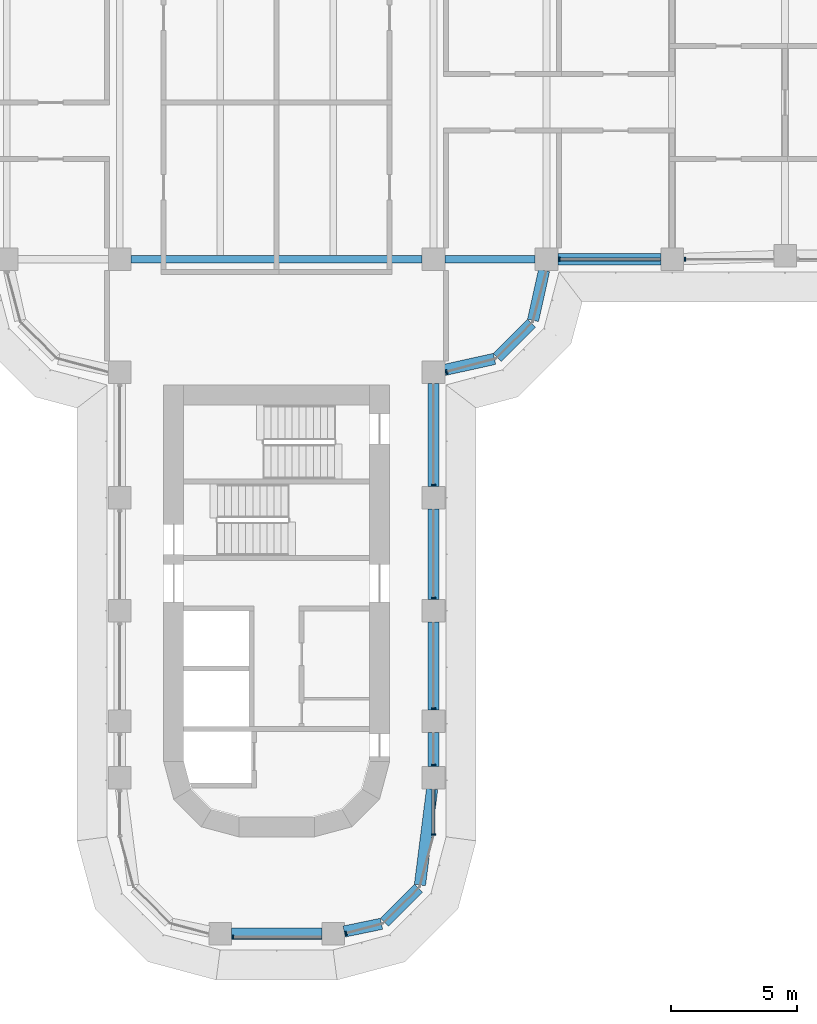
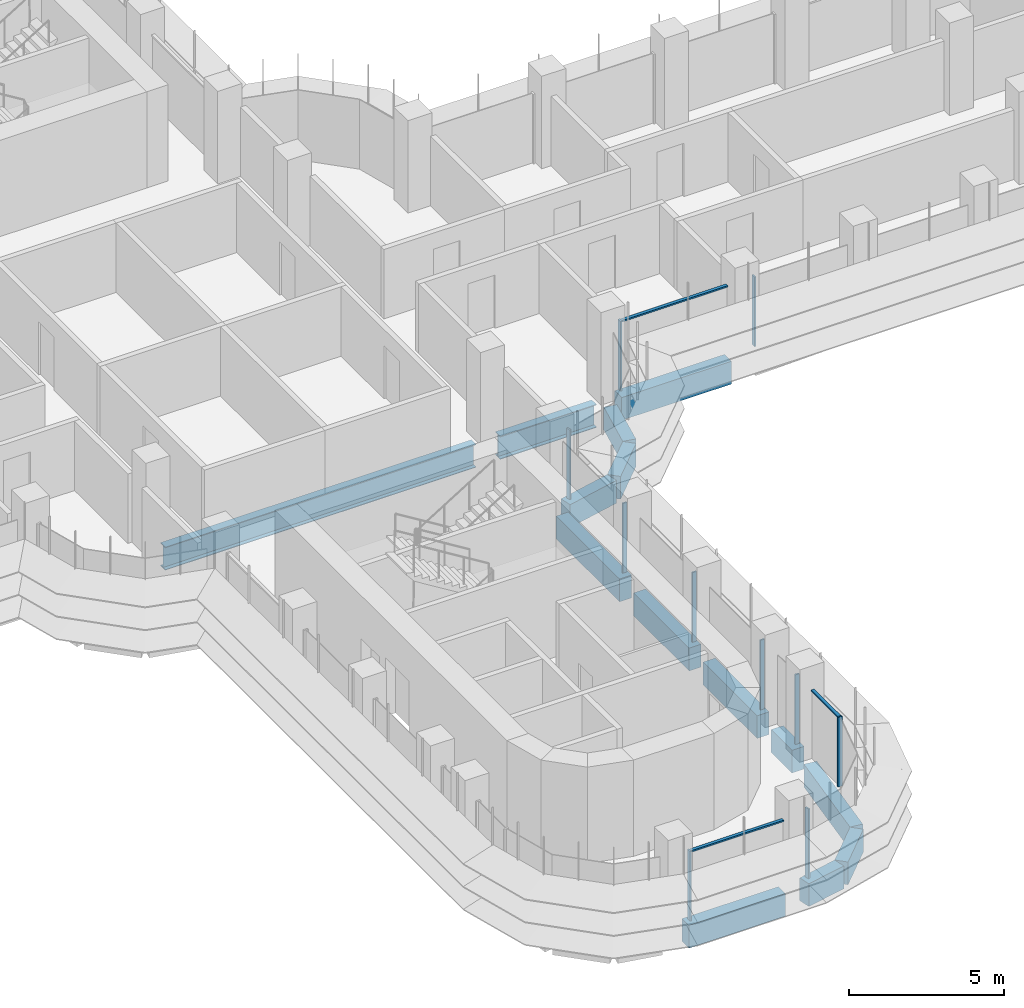
# One storey, part 4 of 22: 14 beams, 13 members, 5 elements without a shape of their own.
"""IFC4 building model written with IfcOpenShell, lengths in metres."""

from ifc_helpers import new_model, si_unit, direction, frame, origin, origin_2d, place, context, subcontext, project, spatial, polyline, rectangle, i_section, outline, extrude, source, transform, mapped, material, material_profile, profile_set, type_object, element, aggregate, save


model = new_model("IFC4")

# Units and contexts
model_context = context("Model", 3, precision=1e-05, world=origin(), true_north=direction((0.0, 1.0)))
body_context = subcontext(model_context, "Body", "Model", "MODEL_VIEW")
ifc_project = project(units=[si_unit("LENGTHUNIT", "METRE"), si_unit("AREAUNIT", "SQUARE_METRE"), si_unit("VOLUMEUNIT", "CUBIC_METRE"), si_unit("PLANEANGLEUNIT", "RADIAN"), si_unit("MASSUNIT", "GRAM", prefix="KILO")], contexts=[model_context])

# Site, building, storey
site_placement = place(None, origin())
site = spatial("IfcSite", under=ifc_project, at=site_placement, CompositionType="ELEMENT")
building_placement = place(site_placement, origin())
building = spatial("IfcBuilding", under=site, at=building_placement, Name="Zarbagh Exchange Tower", CompositionType="ELEMENT")
storey_placement = place(building_placement, frame((0.0, 0.0, 109.39990234375)))
storey = spatial("IfcBuildingStorey", under=building, at=storey_placement, Name="L25", CompositionType="ELEMENT", Elevation=109.39990234375)

# Beams
ifc_material_1 = material(Name="Steel ASTM A992 Gr 50", Category="steel")
ifc_material_profile_1 = material_profile(ifc_material_1, i_section(OverallWidth=0.3046875, OverallDepth=0.911865234375, WebThickness=0.015869140625, FlangeThickness=0.02392578125, at=origin_2d()), Name="W36X150")
ifc_profile_set_1 = profile_set([ifc_material_profile_1], Name="Steel ASTM A992 Gr 50")
beam_type_1 = type_object("IfcBeamType", Name="Floor girder W36X150", PredefinedType="BEAM", material=ifc_profile_set_1)
beam_1_placement = place(storey_placement, frame((-5.800048828125, -6.25, -0.605712890625), z_axis=(1.0, 0.0, 0.0), x_axis=(0.0, 1.0, 0.0)))
element("IfcBeam", 1, at=beam_1_placement, inside=storey, type_object=beam_type_1, Name="Steel girder", PredefinedType="BEAM", context=body_context, shape_type="SweptSolid", body=[
    extrude(i_section(OverallWidth=0.3046875, OverallDepth=0.911865234375, WebThickness=0.015869140625, FlangeThickness=0.02392578125, at=origin_2d()), origin(), (0.0, 0.0, 1.0), 11.60009765625),
])
beam_2_placement = place(storey_placement, frame((6.699951171875, -6.25, -0.605712890625), z_axis=(1.0, 0.0, 0.0), x_axis=(0.0, 1.0, 0.0)))
element("IfcBeam", 2, at=beam_2_placement, inside=storey, type_object=beam_type_1, Name="Steel girder", PredefinedType="BEAM", context=body_context, shape_type="SweptSolid", body=[
    extrude(i_section(OverallWidth=0.3046875, OverallDepth=0.911865234375, WebThickness=0.015869140625, FlangeThickness=0.02392578125, at=origin_2d()), origin(), (0.0, 0.0, 1.0), 3.60009765625),
])
ifc_material_2 = material(Name="Concrete C60/75", Category="concrete")
ifc_material_profile_2 = material_profile(ifc_material_2, rectangle(XDim=0.449951171875, YDim=0.89990234375, at=origin_2d()), Name="RC spandrel beam 450 x 900 C60/75")
ifc_profile_set_2 = profile_set([ifc_material_profile_2], Name="Concrete C60/75")
beam_type_2 = type_object("IfcBeamType", Name="RC spandrel beam 450 x 900 C60/75", PredefinedType="SPANDREL", material=ifc_profile_set_2)
beam_3_placement = place(storey_placement, frame((15.300048828125, -6.25, -0.599853515625), z_axis=(-1.0, 0.0, 0.0), x_axis=(0.0, -1.0, 0.0)))
element("IfcBeam", 3, at=beam_3_placement, inside=storey, type_object=beam_type_2, Name="RC spandrel beam", PredefinedType="SPANDREL", context=body_context, shape_type="SweptSolid", body=[
    extrude(rectangle(XDim=0.449951171875, YDim=0.89990234375, at=origin_2d()), origin(), (0.0, 0.0, 1.0), 4.10009765625),
])
beam_4_placement = place(storey_placement, frame((10.65283203125, -6.689453125, -0.599853515625), z_axis=(-0.216117666208, -0.976367325525, 0.0), x_axis=(0.976367325525, -0.216117666208, 0.0)))
element("IfcBeam", 4, at=beam_4_placement, inside=storey, type_object=beam_type_2, Name="RC spandrel beam", PredefinedType="SPANDREL", context=body_context, shape_type="SweptSolid", body=[
    extrude(rectangle(XDim=0.449951171875, YDim=0.89990234375, at=origin_2d()), origin(), (0.0, 0.0, 1.0), 2.03564453125),
])
beam_5_placement = place(storey_placement, frame((10.15234375, -8.78759765625, -0.599853515625), z_axis=(-0.707106781187, -0.707106781187, 0.0), x_axis=(0.707106781187, -0.707106781187, 0.0)))
element("IfcBeam", 5, at=beam_5_placement, inside=storey, type_object=beam_type_2, Name="RC spandrel beam", PredefinedType="SPANDREL", context=body_context, shape_type="SweptSolid", body=[
    extrude(rectangle(XDim=0.449951171875, YDim=0.89990234375, at=origin_2d()), origin(), (0.0, 0.0, 1.0), 1.929931640625),
])
beam_6_placement = place(storey_placement, frame((8.677001953125, -10.212890625, -0.599853515625), z_axis=(-0.976367325525, -0.216117666208, 0.0), x_axis=(0.216117666208, -0.976367325525, 0.0)))
element("IfcBeam", 6, at=beam_6_placement, inside=storey, type_object=beam_type_2, Name="RC spandrel beam", PredefinedType="SPANDREL", context=body_context, shape_type="SweptSolid", body=[
    extrude(rectangle(XDim=0.449951171875, YDim=0.89990234375, at=origin_2d()), origin(), (0.0, 0.0, 1.0), 2.03564453125),
])
beam_7_placement = place(storey_placement, frame((6.25, -11.199951171875, -0.599853515625), z_axis=(0.0, -1.0, 0.0), x_axis=(1.0, 0.0, 0.0)))
element("IfcBeam", 7, at=beam_7_placement, inside=storey, type_object=beam_type_2, Name="RC spandrel beam", PredefinedType="SPANDREL", context=body_context, shape_type="SweptSolid", body=[
    extrude(rectangle(XDim=0.449951171875, YDim=0.89990234375, at=origin_2d()), origin(), (0.0, 0.0, 1.0), 4.10009765625),
])
beam_8_placement = place(storey_placement, frame((6.25, -16.199951171875, -0.599853515625), z_axis=(0.0, -1.0, 0.0), x_axis=(1.0, 0.0, 0.0)))
element("IfcBeam", 8, at=beam_8_placement, inside=storey, type_object=beam_type_2, Name="RC spandrel beam", PredefinedType="SPANDREL", context=body_context, shape_type="SweptSolid", body=[
    extrude(rectangle(XDim=0.449951171875, YDim=0.89990234375, at=origin_2d()), origin(), (0.0, 0.0, 1.0), 3.60009765625),
])
beam_9_placement = place(storey_placement, frame((6.25, -20.699951171875, -0.599853515625), z_axis=(0.0, -1.0, 0.0), x_axis=(1.0, 0.0, 0.0)))
element("IfcBeam", 9, at=beam_9_placement, inside=storey, type_object=beam_type_2, Name="RC spandrel beam", PredefinedType="SPANDREL", context=body_context, shape_type="SweptSolid", body=[
    extrude(rectangle(XDim=0.449951171875, YDim=0.89990234375, at=origin_2d()), origin(), (0.0, 0.0, 1.0), 3.5),
])
beam_10_placement = place(storey_placement, frame((6.25, -25.10009765625, -0.599853515625), z_axis=(0.0, -1.0, 0.0), x_axis=(1.0, 0.0, 0.0)))
element("IfcBeam", 10, at=beam_10_placement, inside=storey, type_object=beam_type_2, Name="RC spandrel beam", PredefinedType="SPANDREL", context=body_context, shape_type="SweptSolid", body=[
    extrude(rectangle(XDim=0.449951171875, YDim=0.89990234375, at=origin_2d()), origin(), (0.0, 0.0, 1.0), 1.349853515625),
])
beam_11_placement = place(storey_placement, frame((6.193359375, -27.346435546875, -0.599853515625), z_axis=(-0.12597055537, -0.992033980859, 0.0), x_axis=(0.992033980859, -0.12597055537, 0.0)))
element("IfcBeam", 11, at=beam_11_placement, inside=storey, type_object=beam_type_2, Name="RC spandrel beam", PredefinedType="SPANDREL", context=body_context, shape_type="SweptSolid", body=[
    extrude(rectangle(XDim=0.449951171875, YDim=0.89990234375, at=origin_2d()), origin(), (0.0, 0.0, 1.0), 3.84912109375),
])
beam_12_placement = place(storey_placement, frame((5.644287109375, -31.295654296875, -0.599853515625), z_axis=(-0.707106781187, -0.707106781187, 0.0), x_axis=(0.707106781187, -0.707106781187, 0.0)))
element("IfcBeam", 12, at=beam_12_placement, inside=storey, type_object=beam_type_2, Name="RC spandrel beam", PredefinedType="SPANDREL", context=body_context, shape_type="SweptSolid", body=[
    extrude(rectangle(XDim=0.449951171875, YDim=0.89990234375, at=origin_2d()), origin(), (0.0, 0.0, 1.0), 1.9169921875),
])
beam_13_placement = place(storey_placement, frame((4.17529296875, -32.71240234375, -0.599853515625), z_axis=(-0.979328675816, -0.202275417995, 0.0), x_axis=(0.202275417995, -0.979328675816, 0.0)))
element("IfcBeam", 13, at=beam_13_placement, inside=storey, type_object=beam_type_2, Name="RC spandrel beam", PredefinedType="SPANDREL", context=body_context, shape_type="SweptSolid", body=[
    extrude(rectangle(XDim=0.449951171875, YDim=0.89990234375, at=origin_2d()), origin(), (0.0, 0.0, 1.0), 1.515869140625),
])
beam_14_placement = place(storey_placement, frame((1.800048828125, -33.110107421875, -0.599853515625), z_axis=(-1.0, 0.0, 0.0), x_axis=(0.0, -1.0, 0.0)))
element("IfcBeam", 14, at=beam_14_placement, inside=storey, type_object=beam_type_2, Name="RC spandrel beam", PredefinedType="SPANDREL", context=body_context, shape_type="SweptSolid", body=[
    extrude(rectangle(XDim=0.449951171875, YDim=0.89990234375, at=origin_2d()), origin(), (0.0, 0.0, 1.0), 3.60009765625),
])

# Curtain wall, member
ifc_material_3 = material(Name="Anodised aluminium frame and glazing", Category="aluminium")
curtain_wall_type = type_object("IfcCurtainWallType", Name="CWA Ribbon glazing, lower zones", PredefinedType="NOTDEFINED", material=ifc_material_3)
curtain_wall_1_placement = place(storey_placement, origin())
curtain_wall_1 = element("IfcCurtainWall", 15, at=curtain_wall_1_placement, inside=storey, type_object=curtain_wall_type, Name="CWA01 curtain wall", PredefinedType="NOTDEFINED")
ifc_material_4 = material(Name="Anodised aluminium frame", Category="aluminium")
member_type_1 = type_object("IfcMemberType", Name="MUA Mullion, anodised aluminium frame", PredefinedType="MULLION", material=ifc_material_4)
shared_shape_1 = source(origin(), body_context, "Body", "SweptSolid", [
    extrude(outline(polyline([(0.0, -0.080078125), (0.06005859375, -0.080078125), (0.06005859375, 0.080078125), (0.0, 0.080078125), (0.0, -0.080078125)])), origin(), (0.0, 0.0, 1.0), 2.75),
])
placement = place(storey_placement, origin())
member_1 = element("IfcMember", 16, at=placement, type_object=member_type_1, Name="CWA01 mullion 1.1", PredefinedType="MULLION", context=body_context, shape_type="MappedRepresentation", body=[
    mapped(shared_shape_1, transform((2.739990234375, -33.10107421875, 0.0), x_axis=(0.965924289636, 0.258824779902, 0.0), y_axis=(-0.258824779902, 0.965924289636, 0.0), z_axis=(0.0, 0.0, 1.0))),
])
aggregate(curtain_wall_1, [member_1])

# Curtain wall, members
curtain_wall_2_placement = place(storey_placement, origin())
curtain_wall_2 = element("IfcCurtainWall", 17, at=curtain_wall_2_placement, inside=storey, type_object=curtain_wall_type, Name="CWA04 curtain wall", PredefinedType="NOTDEFINED")
member_2 = element("IfcMember", 18, at=placement, type_object=member_type_1, Name="CWA04 mullion 1.1", PredefinedType="MULLION", context=body_context, shape_type="MappedRepresentation", body=[
    mapped(shared_shape_1, transform((6.25, -29.18408203125, 0.0), x_axis=(0.0, 1.0, 0.0), y_axis=(-1.0, 0.0, 0.0), z_axis=(0.0, 0.0, 1.0))),
])
member_3 = element("IfcMember", 19, at=placement, type_object=member_type_1, Name="CWA04 mullion 2.1", PredefinedType="MULLION", context=body_context, shape_type="MappedRepresentation", body=[
    mapped(shared_shape_1, transform((6.25, -26.409912109375, 0.0), x_axis=(0.0, 1.0, 0.0), y_axis=(-1.0, 0.0, 0.0), z_axis=(0.0, 0.0, 1.0))),
])
member_4 = element("IfcMember", 20, at=placement, type_object=member_type_1, Name="CWA04 mullion 3.1", PredefinedType="MULLION", context=body_context, shape_type="MappedRepresentation", body=[
    mapped(shared_shape_1, transform((6.25, -24.159912109375, 0.0), x_axis=(0.0, 1.0, 0.0), y_axis=(-1.0, 0.0, 0.0), z_axis=(0.0, 0.0, 1.0))),
])
member_5 = element("IfcMember", 21, at=placement, type_object=member_type_1, Name="CWA04 mullion 4.1", PredefinedType="MULLION", context=body_context, shape_type="MappedRepresentation", body=[
    mapped(shared_shape_1, transform((6.25, -19.760009765625, 0.0), x_axis=(0.0, 1.0, 0.0), y_axis=(-1.0, 0.0, 0.0), z_axis=(0.0, 0.0, 1.0))),
])
member_6 = element("IfcMember", 22, at=placement, type_object=member_type_1, Name="CWA04 mullion 5.1", PredefinedType="MULLION", context=body_context, shape_type="MappedRepresentation", body=[
    mapped(shared_shape_1, transform((6.25, -15.260009765625, 0.0), x_axis=(0.0, 1.0, 0.0), y_axis=(-1.0, 0.0, 0.0), z_axis=(0.0, 0.0, 1.0))),
])

# Curtain wall, member
curtain_wall_3_placement = place(storey_placement, origin())
curtain_wall_3 = element("IfcCurtainWall", 23, at=curtain_wall_3_placement, inside=storey, type_object=curtain_wall_type, Name="CWA05 curtain wall", PredefinedType="NOTDEFINED")
member_7 = element("IfcMember", 24, at=placement, type_object=member_type_1, Name="CWA05 mullion 1.1", PredefinedType="MULLION", context=body_context, shape_type="MappedRepresentation", body=[
    mapped(shared_shape_1, transform((6.739990234375, -10.735107421875, 0.0), x_axis=(0.965924289636, 0.258824779902, 0.0), y_axis=(-0.258824779902, 0.965924289636, 0.0), z_axis=(0.0, 0.0, 1.0))),
])
aggregate(curtain_wall_3, [member_7])

# Curtain wall, members
curtain_wall_4_placement = place(storey_placement, origin())
curtain_wall_4 = element("IfcCurtainWall", 25, at=curtain_wall_4_placement, inside=storey, type_object=curtain_wall_type, Name="CWA08 curtain wall", PredefinedType="NOTDEFINED")
member_8 = element("IfcMember", 26, at=placement, type_object=member_type_1, Name="CWA08 mullion 1.1", PredefinedType="MULLION", context=body_context, shape_type="MappedRepresentation", body=[
    mapped(shared_shape_1, transform((11.239990234375, -6.25, 0.0), x_axis=(1.0, 0.0, 0.0), y_axis=(0.0, 1.0, 0.0), z_axis=(0.0, 0.0, 1.0))),
])
member_9 = element("IfcMember", 27, at=placement, type_object=member_type_1, Name="CWA08 mullion 2.1", PredefinedType="MULLION", context=body_context, shape_type="MappedRepresentation", body=[
    mapped(shared_shape_1, transform((16.239990234375, -6.25, 0.0), x_axis=(1.0, 0.0, 0.0), y_axis=(0.0, 1.0, 0.0), z_axis=(0.0, 0.0, 1.0))),
])

# Curtain wall, member
curtain_wall_5_placement = place(storey_placement, origin())
curtain_wall_5 = element("IfcCurtainWall", 28, at=curtain_wall_5_placement, inside=storey, type_object=curtain_wall_type, Name="CWA48 curtain wall", PredefinedType="NOTDEFINED")
member_10 = element("IfcMember", 29, at=placement, type_object=member_type_1, Name="CWA48 mullion 1.1", PredefinedType="MULLION", context=body_context, shape_type="MappedRepresentation", body=[
    mapped(shared_shape_1, transform((-1.760009765625, -33.25, 0.0), x_axis=(1.0, 0.0, 0.0), y_axis=(0.0, 1.0, 0.0), z_axis=(0.0, 0.0, 1.0))),
])

# Member
member_type_2 = type_object("IfcMemberType", Name="TRA Transom, anodised aluminium frame", PredefinedType="USERDEFINED", material=ifc_material_4)
shared_shape_2 = source(origin(), body_context, "Body", "SweptSolid", [
    extrude(outline(polyline([(-0.06005859375, -0.06005859375), (0.0, -0.06005859375), (0.0, 0.06005859375), (-0.06005859375, 0.06005859375), (-0.06005859375, -0.06005859375)])), origin(), (0.0, 0.0, 1.0), 1.734130859375),
])
member_11 = element("IfcMember", 30, at=placement, type_object=member_type_2, Name="CWA04 transom 1.1", ObjectType="TRANSOM", PredefinedType="USERDEFINED", context=body_context, shape_type="MappedRepresentation", body=[
    mapped(shared_shape_2, transform((6.25, -29.124267578125, 2.75), x_axis=(0.0, 0.0, 1.0), y_axis=(1.0, 0.0, 0.0), z_axis=(0.0, 1.0, 0.0))),
])

aggregate(curtain_wall_2, [member_2, member_11, member_3, member_4, member_5, member_6])

shared_shape_3 = source(origin(), body_context, "Body", "SweptSolid", [
    extrude(outline(polyline([(-0.06005859375, -0.06005859375), (0.0, -0.06005859375), (0.0, 0.06005859375), (-0.06005859375, 0.06005859375), (-0.06005859375, -0.06005859375)])), origin(), (0.0, 0.0, 1.0), 3.9599609375),
])
member_12 = element("IfcMember", 31, at=placement, type_object=member_type_2, Name="CWA08 transom 1.1", ObjectType="TRANSOM", PredefinedType="USERDEFINED", context=body_context, shape_type="MappedRepresentation", body=[
    mapped(shared_shape_3, transform((11.300048828125, -6.25, 2.75), x_axis=(0.0, 0.0, 1.0), y_axis=(0.0, -1.0, 0.0), z_axis=(1.0, 0.0, 0.0))),
])

aggregate(curtain_wall_4, [member_8, member_12, member_9])

shared_shape_4 = source(origin(), body_context, "Body", "SweptSolid", [
    extrude(outline(polyline([(-0.06005859375, -0.06005859375), (0.0, -0.06005859375), (0.0, 0.06005859375), (-0.06005859375, 0.06005859375), (-0.06005859375, -0.06005859375)])), origin(), (0.0, 0.0, 1.0), 3.4599609375),
])
member_13 = element("IfcMember", 32, at=placement, type_object=member_type_2, Name="CWA48 transom 1.1", ObjectType="TRANSOM", PredefinedType="USERDEFINED", context=body_context, shape_type="MappedRepresentation", body=[
    mapped(shared_shape_4, transform((-1.699951171875, -33.25, 2.75), x_axis=(0.0, 0.0, 1.0), y_axis=(0.0, -1.0, 0.0), z_axis=(1.0, 0.0, 0.0))),
])

aggregate(curtain_wall_5, [member_10, member_13])

save(model, "model.ifc")
